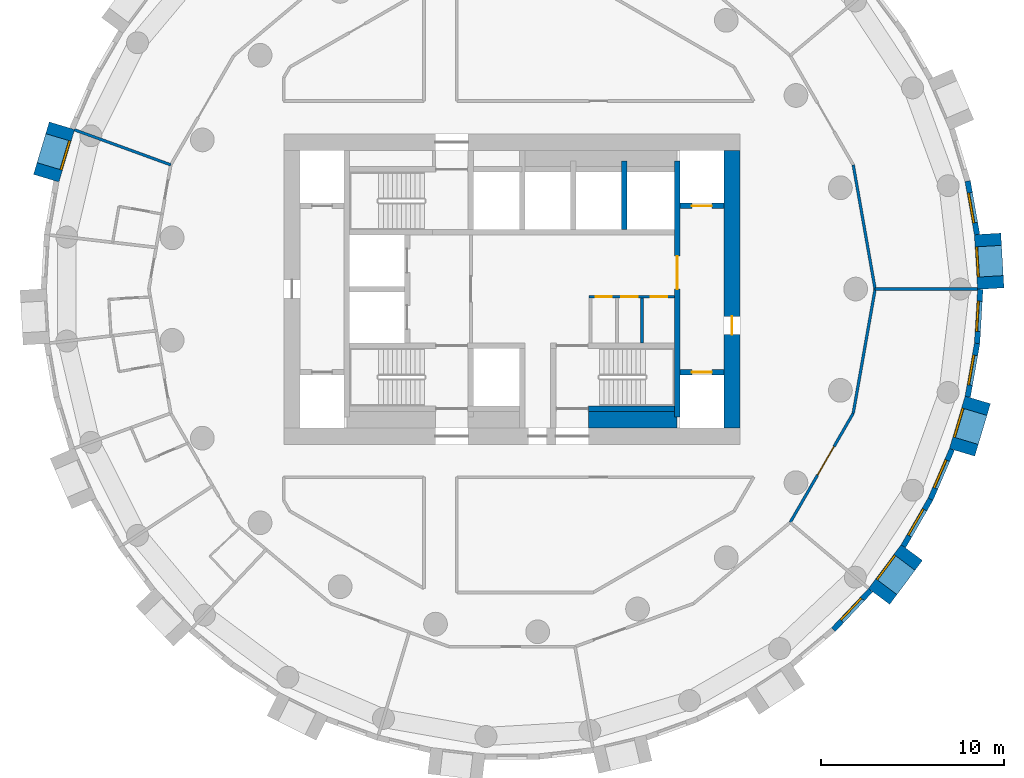
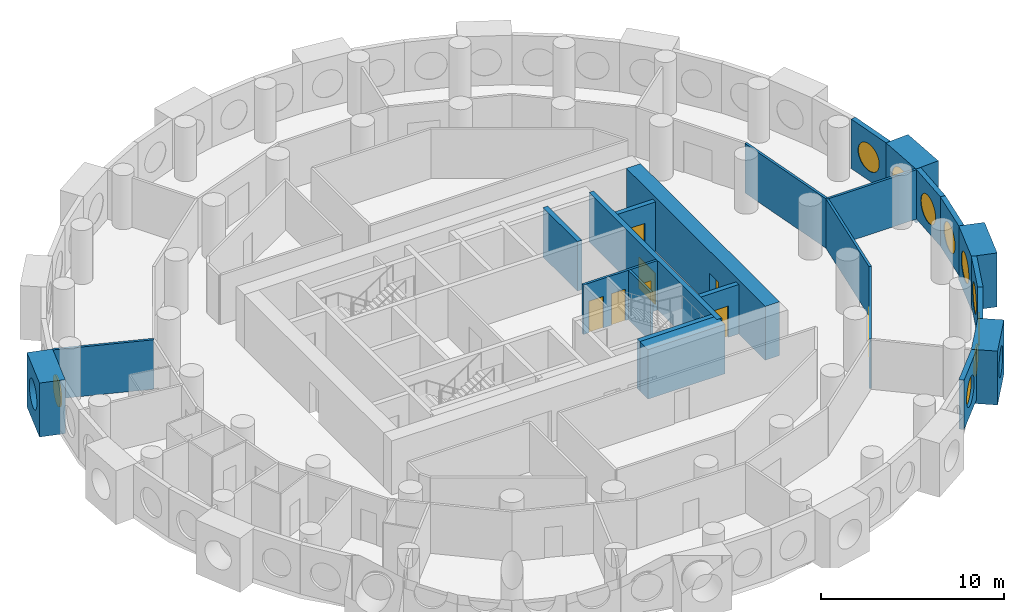
# One storey, part 5 of 9: 24 walls, 10 windows, 8 doors, 18 openings.
"""IFC4 building model written with IfcOpenShell, lengths in metres."""

import ifcopenshell
import ifcopenshell.guid

model = None  # the IFC model being written
_history = None  # IfcOwnerHistory: only IFC2X3 demands one
_inside = {}  # id of a spatial element -> (the spatial element, [elements in it])
_under = {}  # id of a project, library or spatial element -> (it, [spatial elements below it])
_declared = {}  # id of a project -> (the project, [libraries it declares])
_typed = {}  # id of a type object -> (the type object, [elements of that type])
_made_of = {}  # id of a material, layer set ... -> (it, [elements and type objects made of it])


def new_model(schema):
    """Start an empty IFC model of exactly this schema.

    Asked for "IFC4X3", IfcOpenShell would pick the latest addendum, in which some entities
    have other attributes; the version numbers below select the first issue.
    IFC2X3 requires an IfcOwnerHistory on every rooted entity: one is made here for all.
    """
    global model, _history
    if schema == "IFC4X3":
        model = ifcopenshell.file(schema_version=(4, 3, 0, 0))
    else:
        model = ifcopenshell.file(schema=schema)
    _inside.clear()
    _under.clear()
    _declared.clear()
    _typed.clear()
    _made_of.clear()
    _history = None
    if model.schema == "IFC2X3":
        org = make("IfcOrganization", Name="unknown")
        user = make(
            "IfcPersonAndOrganization",
            ThePerson=make("IfcPerson", FamilyName="unknown"),
            TheOrganization=org,
        )
        app = make(
            "IfcApplication",
            ApplicationDeveloper=org,
            Version="unknown",
            ApplicationFullName="unknown",
            ApplicationIdentifier="unknown",
        )
        _history = make(
            "IfcOwnerHistory",
            OwningUser=user,
            OwningApplication=app,
            ChangeAction="ADDED",
            CreationDate=0,
        )
    return model


def make(cls, **values):
    """One entity of the class cls with the attributes given. An attribute that is None is left unset."""
    return model.create_entity(
        cls, **{name: value for name, value in values.items() if value is not None}
    )


def rooted(cls, **values):
    """An entity with a GlobalId (a new one), such as an element, a storey or a relation."""
    return make(cls, GlobalId=ifcopenshell.guid.new(), OwnerHistory=_history, **values)


def si_unit(unit_type, name, prefix=None):
    """IfcSIUnit, for example si_unit("LENGTHUNIT", "METRE", prefix="MILLI")."""
    return make("IfcSIUnit", UnitType=unit_type, Prefix=prefix, Name=name)


def assignment(units):
    """IfcUnitAssignment: the units of a project."""
    return None if units is None else make("IfcUnitAssignment", Units=units)


def point(xyz):
    """IfcCartesianPoint."""
    return None if xyz is None else make("IfcCartesianPoint", Coordinates=xyz)


def direction(xyz):
    """IfcDirection."""
    return None if xyz is None else make("IfcDirection", DirectionRatios=xyz)


def frame(location, z_axis=None, x_axis=None):
    """IfcAxis2Placement3D, a coordinate frame: its origin and axes. An axis left out is left unset."""
    return make(
        "IfcAxis2Placement3D",
        Location=point(location),
        Axis=direction(z_axis),
        RefDirection=direction(x_axis),
    )


def frame_2d(location, x_axis=None):
    """IfcAxis2Placement2D, a coordinate frame in the plane: its origin and x axis."""
    return make(
        "IfcAxis2Placement2D", Location=point(location), RefDirection=direction(x_axis)
    )


def origin():
    """The frame at (0, 0, 0) with its axes left unset."""
    return frame((0.0, 0.0, 0.0))


def origin_2d():
    """The frame at (0, 0) in the plane with its x axis left unset."""
    return frame_2d((0.0, 0.0))


def place(relative_to, where):
    """IfcLocalPlacement: puts the frame where relative to a parent placement (None: the world)."""
    return make(
        "IfcLocalPlacement", PlacementRelTo=relative_to, RelativePlacement=where
    )


def context(
    kind, dimensions, precision=None, world=None, true_north=None, identifier=None
):
    """IfcGeometricRepresentationContext, for example the 3D "Model" context."""
    return make(
        "IfcGeometricRepresentationContext",
        ContextIdentifier=identifier,
        ContextType=kind,
        CoordinateSpaceDimension=dimensions,
        Precision=precision,
        WorldCoordinateSystem=world,
        TrueNorth=true_north,
    )


def subcontext(parent, identifier, kind, view, scale=None):
    """IfcGeometricRepresentationSubContext, for example "Body" below "Model"."""
    return make(
        "IfcGeometricRepresentationSubContext",
        ContextIdentifier=identifier,
        ContextType=kind,
        ParentContext=parent,
        TargetScale=scale,
        TargetView=view,
    )


def project(units=None, contexts=None):
    """IfcProject with its units and contexts."""
    return rooted(
        "IfcProject",
        Name="project",
        RepresentationContexts=contexts,
        UnitsInContext=assignment(units),
    )


def spatial(cls, under=None, at=None, **own):
    """A site, building, storey or space (cls), placed at a placement, below another one or the project."""
    s = rooted(cls, ObjectPlacement=at, **own)
    if under is not None:
        _under.setdefault(under.id(), (under, []))[1].append(s)
    return s


def profile(cls, at=None, kind="AREA", **sizes):
    """A parametric profile (cls). Its sizes go by their IFC names, for example OverallWidth=200.0."""
    return make(cls, ProfileType=kind, Position=at, **sizes)


def rectangle(**sizes):
    """IfcRectangleProfileDef."""
    return profile("IfcRectangleProfileDef", **sizes)


def circle(**sizes):
    """IfcCircleProfileDef."""
    return profile("IfcCircleProfileDef", **sizes)


def extrude(swept, where, along, depth):
    """IfcExtrudedAreaSolid: the profile swept, set in the frame where, extruded along a direction by depth."""
    return make(
        "IfcExtrudedAreaSolid",
        SweptArea=swept,
        Position=where,
        ExtrudedDirection=direction(along),
        Depth=depth,
    )


def shape(context_of_items, identifier, shape_type, items):
    """IfcShapeRepresentation: the items that make up one representation, for example the "Body"."""
    return make(
        "IfcShapeRepresentation",
        ContextOfItems=context_of_items,
        RepresentationIdentifier=identifier,
        RepresentationType=shape_type,
        Items=items,
    )


def material(Name=None, Category=None):
    """IfcMaterial."""
    return make("IfcMaterial", Name=Name, Category=Category)


def layer(
    of_material, thickness, ventilated=None, Name=None, Category=None, Priority=None
):
    """IfcMaterialLayer: one layer of a wall or slab, of a material (None: an air gap)."""
    return make(
        "IfcMaterialLayer",
        Material=of_material,
        LayerThickness=thickness,
        IsVentilated=ventilated,
        Name=Name,
        Category=Category,
        Priority=Priority,
    )


def layer_set(layers, Name=None):
    """IfcMaterialLayerSet."""
    return make("IfcMaterialLayerSet", MaterialLayers=layers, LayerSetName=Name)


def made_of(thing, what):
    """Note that an element or type object is made of a material, layer set ...; save() writes the relation."""
    if what is not None:
        _made_of.setdefault(what.id(), (what, []))[1].append(thing)
    return thing


def type_object(cls, material=None, **own):
    """A type object (cls), such as IfcWallType, which elements share."""
    return made_of(rooted(cls, **own), material)


def element(
    cls,
    number,
    at=None,
    inside=None,
    cuts=None,
    type_object=None,
    material=None,
    context=None,
    identifier="Body",
    shape_type=None,
    held_by="IfcProductDefinitionShape",
    body=None,
    shapes=None,
    **own,
):
    """One element of the class cls, such as IfcWall. Its Tag is "e" and its number.

    at: its placement. inside: the storey or other place that contains it. cuts: it is an
    opening in that element (IfcRelVoidsElement). A single representation is given by context,
    identifier, shape_type and body (its items); several are given by shapes. held_by: the class
    of the entity that holds the representations. save() writes the other relations.
    """
    e = rooted(cls, Tag="e%d" % number, ObjectPlacement=at, **own)
    if body is not None:
        shapes = [shape(context, identifier, shape_type, body)]
    if shapes is not None:
        e.Representation = make(held_by, Representations=shapes)
    if inside is not None:
        _inside.setdefault(inside.id(), (inside, []))[1].append(e)
    if cuts is not None:
        rooted(
            "IfcRelVoidsElement", RelatingBuildingElement=cuts, RelatedOpeningElement=e
        )
    if type_object is not None:
        _typed.setdefault(type_object.id(), (type_object, []))[1].append(e)
    return made_of(e, material)


def fill(opening, filler):
    """IfcRelFillsElement: the door or window that sits in an opening."""
    return rooted(
        "IfcRelFillsElement",
        RelatingOpeningElement=opening,
        RelatedBuildingElement=filler,
    )


def aggregate(whole, parts):
    """IfcRelAggregates: a whole, such as a stair, and the parts it consists of."""
    return rooted("IfcRelAggregates", RelatingObject=whole, RelatedObjects=parts)


def save(model, path):
    """Write the relations noted so far, then the file.

    IfcRelAggregates (storeys below a building ...), IfcRelContainedInSpatialStructure (elements
    in a storey), IfcRelDefinesByType, IfcRelAssociatesMaterial and IfcRelDeclares: one each for
    every whole, place, type object, material and project.
    """
    for whole, parts in _under.values():
        aggregate(whole, parts)
    for where, things in _inside.values():
        rooted(
            "IfcRelContainedInSpatialStructure",
            RelatedElements=things,
            RelatingStructure=where,
        )
    for kind, things in _typed.values():
        rooted("IfcRelDefinesByType", RelatedObjects=things, RelatingType=kind)
    for what, things in _made_of.values():
        rooted("IfcRelAssociatesMaterial", RelatedObjects=things, RelatingMaterial=what)
    for by, libraries in _declared.values():
        rooted("IfcRelDeclares", RelatingContext=by, RelatedDefinitions=libraries)
    model.write(path)


model = new_model("IFC4")

# Units and contexts
model_context = context("Model", 3, precision=1e-05, world=origin(), true_north=direction((0.0, 1.0)))
body_context = subcontext(model_context, "Body", "Model", "MODEL_VIEW")
ifc_project = project(units=[si_unit("LENGTHUNIT", "METRE"), si_unit("AREAUNIT", "SQUARE_METRE"), si_unit("VOLUMEUNIT", "CUBIC_METRE"), si_unit("PLANEANGLEUNIT", "RADIAN"), si_unit("MASSUNIT", "GRAM", prefix="KILO")], contexts=[model_context])

# Site, building, storey
site_placement = place(None, origin())
site = spatial("IfcSite", under=ifc_project, at=site_placement, CompositionType="ELEMENT")
building_placement = place(site_placement, origin())
building = spatial("IfcBuilding", under=site, at=building_placement, Name="Tracery Tower", CompositionType="ELEMENT")
storey_placement = place(building_placement, frame((0.0, 0.0, 205.199951171875)))
storey = spatial("IfcBuildingStorey", under=building, at=storey_placement, Name="L53", CompositionType="ELEMENT", Elevation=205.199951171875)

# Wall, openings, doors
ifc_material_1 = material(Name="Plasterboard on steel studs", Category="steel")
ifc_layer_1 = layer(ifc_material_1, 0.14990234375)
ifc_layer_set_1 = layer_set([ifc_layer_1], Name="Core room partition 150")
wall_type_1 = type_object("IfcWallType", Name="Core room partition 150", PredefinedType="SOLIDWALL", material=ifc_layer_set_1)
wall_1_placement = place(storey_placement, frame((4.22509765625, -0.425048828125, 0.0), z_axis=(0.0, 0.0, 1.0), x_axis=(1.0, 0.0, 0.0)))
wall_1 = element("IfcWall", 1, at=wall_1_placement, inside=storey, type_object=wall_type_1, Name="L53 slot N", PredefinedType="SOLIDWALL", context=body_context, shape_type="SweptSolid", body=[
    extrude(rectangle(XDim=4.6748046875, YDim=0.14990234375, at=frame_2d((2.33740234375, 0.0))), origin(), (0.0, 0.0, 1.0), 3.300048828125),
])
opening_1_placement = place(wall_1_placement, frame((0.35009765625, 0.0, 0.0)))
opening_1 = element("IfcOpeningElement", 2, at=opening_1_placement, cuts=wall_1, Name="Opening KD27", PredefinedType="OPENING", context=body_context, shape_type="SweptSolid", body=[
    extrude(rectangle(XDim=0.89990234375, YDim=2.10009765625, at=frame_2d((0.449951171875, 1.050048828125))), frame((0.0, 0.074951171875, 0.0), z_axis=(0.0, -1.0, 0.0), x_axis=(1.0, 0.0, 0.0)), (0.0, 0.0, 1.0), 0.14990234375),
])
opening_2_placement = place(wall_1_placement, frame((1.762451171875, 0.0, 0.0)))
opening_2 = element("IfcOpeningElement", 3, at=opening_2_placement, cuts=wall_1, Name="Opening KD26", PredefinedType="OPENING", context=body_context, shape_type="SweptSolid", body=[
    extrude(rectangle(XDim=0.89990234375, YDim=2.10009765625, at=frame_2d((0.449951171875, 1.050048828125))), frame((0.0, 0.074951171875, 0.0), z_axis=(0.0, -1.0, 0.0), x_axis=(1.0, 0.0, 0.0)), (0.0, 0.0, 1.0), 0.14990234375),
])
opening_3_placement = place(wall_1_placement, frame((3.375, 0.0, 0.0)))
opening_3 = element("IfcOpeningElement", 4, at=opening_3_placement, cuts=wall_1, Name="Opening KD22", PredefinedType="OPENING", context=body_context, shape_type="SweptSolid", body=[
    extrude(rectangle(XDim=0.89990234375, YDim=2.10009765625, at=frame_2d((0.449951171875, 1.050048828125))), frame((0.0, 0.074951171875, 0.0), z_axis=(0.0, -1.0, 0.0), x_axis=(1.0, 0.0, 0.0)), (0.0, 0.0, 1.0), 0.14990234375),
])
ifc_material_2 = material(Name="Timber door leaf", Category="wood")
door_type_1 = type_object("IfcDoorType", Name="Core WC door 900", OperationType="NOTDEFINED", PredefinedType="DOOR", material=ifc_material_2)
door_1_placement = place(opening_3_placement, origin())
door_1 = element("IfcDoor", 5, at=door_1_placement, inside=storey, type_object=door_type_1, Name="Core door", OperationType="SINGLE_SWING_RIGHT", OverallHeight=2.10009765625, OverallWidth=0.89990234375, PredefinedType="DOOR", context=body_context, shape_type="SweptSolid", body=[
    extrude(rectangle(XDim=0.89990234375, YDim=2.10009765625, at=frame_2d((0.449951171875, 1.050048828125))), frame((0.0, 0.02490234375, 0.0), z_axis=(0.0, -1.0, 0.0), x_axis=(1.0, 0.0, 0.0)), (0.0, 0.0, 1.0), 0.050048828125),
])
fill(opening_3, door_1)
ifc_material_3 = material(Name="Timber door leaf", Category="wood")
door_type_2 = type_object("IfcDoorType", Name="Core store door 900", OperationType="NOTDEFINED", PredefinedType="DOOR", material=ifc_material_3)
door_2_placement = place(opening_1_placement, origin())
door_2 = element("IfcDoor", 6, at=door_2_placement, inside=storey, type_object=door_type_2, Name="Core door", OperationType="SINGLE_SWING_RIGHT", OverallHeight=2.10009765625, OverallWidth=0.89990234375, PredefinedType="DOOR", context=body_context, shape_type="SweptSolid", body=[
    extrude(rectangle(XDim=0.89990234375, YDim=2.10009765625, at=frame_2d((0.449951171875, 1.050048828125))), frame((0.0, 0.02490234375, 0.0), z_axis=(0.0, -1.0, 0.0), x_axis=(1.0, 0.0, 0.0)), (0.0, 0.0, 1.0), 0.050048828125),
])
fill(opening_1, door_2)
door_3_placement = place(opening_2_placement, origin())
door_3 = element("IfcDoor", 7, at=door_3_placement, inside=storey, type_object=door_type_2, Name="Core door", OperationType="SINGLE_SWING_LEFT", OverallHeight=2.10009765625, OverallWidth=0.89990234375, PredefinedType="DOOR", context=body_context, shape_type="SweptSolid", body=[
    extrude(rectangle(XDim=0.89990234375, YDim=2.10009765625, at=frame_2d((0.449951171875, 1.050048828125))), frame((0.0, 0.02490234375, 0.0), z_axis=(0.0, -1.0, 0.0), x_axis=(1.0, 0.0, 0.0)), (0.0, 0.0, 1.0), 0.050048828125),
])
fill(opening_2, door_3)

# Walls
wall_2_placement = place(storey_placement, frame((7.125, -2.949951171875, 0.0), z_axis=(0.0, 0.0, 1.0), x_axis=(0.0, 1.0, 0.0)))
element("IfcWall", 8, at=wall_2_placement, inside=storey, type_object=wall_type_1, Name="L53 slot sep 2", PredefinedType="SOLIDWALL", context=body_context, shape_type="SweptSolid", body=[
    extrude(rectangle(XDim=2.449951171875, YDim=0.14990234375, at=frame_2d((1.22509765625, 0.0))), origin(), (0.0, 0.0, 1.0), 3.300048828125),
])
ifc_material_4 = material(Name="Concrete C50/60", Category="concrete")
ifc_layer_2 = layer(ifc_material_4, 0.89990234375)
ifc_layer_set_2 = layer_set([ifc_layer_2], Name="Core strip wall 900 C50")
wall_type_2 = type_object("IfcWallType", Name="Core strip wall 900 C50", PredefinedType="SOLIDWALL", material=ifc_layer_set_2)
wall_3_placement = place(storey_placement, frame((4.199951171875, -7.14990234375, 0.0), z_axis=(0.0, 0.0, 1.0), x_axis=(1.0, 0.0, 0.0)))
element("IfcWall", 9, at=wall_3_placement, inside=storey, type_object=wall_type_2, Name="L53 F thick S E", PredefinedType="SOLIDWALL", context=body_context, shape_type="SweptSolid", body=[
    extrude(rectangle(XDim=4.85009765625, YDim=0.89990234375, at=frame_2d((2.425048828125, 0.0))), origin(), (0.0, 0.0, 1.0), 3.300048828125),
])

# Wall, opening, door
ifc_material_5 = material(Name="Concrete C50/60", Category="concrete")
ifc_layer_3 = layer(ifc_material_5, 0.89990234375)
ifc_layer_set_3 = layer_set([ifc_layer_3], Name="Core wall 900 C50")
wall_type_3 = type_object("IfcWallType", Name="Core wall 900 C50", PredefinedType="SOLIDWALL", material=ifc_layer_set_3)
wall_4_placement = place(storey_placement, frame((12.050048828125, -7.60009765625, 0.0), z_axis=(0.0, 0.0, 1.0), x_axis=(0.0, 1.0, 0.0)))
wall_4 = element("IfcWall", 10, at=wall_4_placement, inside=storey, type_object=wall_type_3, Name="L53 outer E", PredefinedType="SOLIDWALL", context=body_context, shape_type="SweptSolid", body=[
    extrude(rectangle(XDim=15.2001953125, YDim=0.89990234375, at=frame_2d((7.60009765625, 0.0))), origin(), (0.0, 0.0, 1.0), 3.60009765625),
])
opening_4_placement = place(wall_4_placement, frame((5.10009765625, 0.0, 0.0)))
opening_4 = element("IfcOpeningElement", 11, at=opening_4_placement, cuts=wall_4, Name="Opening KD18", PredefinedType="OPENING", context=body_context, shape_type="SweptSolid", body=[
    extrude(rectangle(XDim=1.0, YDim=2.10009765625, at=frame_2d((0.5, 1.050048828125))), frame((0.0, 0.449951171875, 0.0), z_axis=(0.0, -1.0, 0.0), x_axis=(1.0, 0.0, 0.0)), (0.0, 0.0, 1.0), 0.89990234375),
])
ifc_material_6 = material(Name="Steel fire door", Category="steel")
door_type_3 = type_object("IfcDoorType", Name="Core exit door 1000", OperationType="NOTDEFINED", PredefinedType="DOOR", material=ifc_material_6)
door_4_placement = place(opening_4_placement, origin())
door_4 = element("IfcDoor", 12, at=door_4_placement, inside=storey, type_object=door_type_3, Name="Core exit door", OperationType="DOUBLE_DOOR_SINGLE_SWING", OverallHeight=2.10009765625, OverallWidth=1.0, PredefinedType="DOOR", context=body_context, shape_type="SweptSolid", body=[
    extrude(rectangle(XDim=1.0, YDim=2.10009765625, at=frame_2d((0.5, 1.050048828125))), frame((0.0, 0.02490234375, 0.0), z_axis=(0.0, -1.0, 0.0), x_axis=(1.0, 0.0, 0.0)), (0.0, 0.0, 1.0), 0.050048828125),
])
fill(opening_4, door_4)

# Wall, opening, window
ifc_material_7 = material(Name="Precast concrete C50/60", Category="concrete")
ifc_layer_4 = layer(ifc_material_7, 1.449951171875)
ifc_layer_set_4 = layer_set([ifc_layer_4], Name="Deep-set bay unit 3000 x 3600, slab edge 300")
wall_type_4 = type_object("IfcWallType", Name="Deep-set bay unit 3000 x 3600, slab edge 300", PredefinedType="ELEMENTEDWALL", material=ifc_layer_set_4)
wall_5_placement = place(storey_placement, frame((26.221923828125, 0.024658203125, -0.300048828125), z_axis=(0.0, 0.0, 1.0), x_axis=(-0.058106596105, 0.998310384344, 0.0)))
wall_5 = element("IfcWall", 13, at=wall_5_placement, inside=storey, type_object=wall_type_4, Name="Deep-set bay unit 1 at L53", PredefinedType="ELEMENTEDWALL", context=body_context, shape_type="SweptSolid", body=[
    extrude(rectangle(XDim=3.0, YDim=1.449951171875, at=frame_2d((1.5, 0.0))), origin(), (0.0, 0.0, 1.0), 3.60009765625),
])
opening_5_placement = place(wall_5_placement, frame((1.5, 0.0, 1.85009765625)))
opening_5 = element("IfcOpeningElement", 14, at=opening_5_placement, cuts=wall_5, Name="Opening WN1", PredefinedType="OPENING", context=body_context, shape_type="SweptSolid", body=[
    extrude(circle(Radius=0.9000244140625, at=origin_2d()), frame((0.0, 0.73486328125, 0.0), z_axis=(0.0, -1.0, 0.0), x_axis=(1.0, 0.0, 0.0)), (0.0, 0.0, 1.0), 1.469970703125),
])
ifc_material_8 = material(Name="Aluminium frame with tinted double glazing", Category="aluminium")
window_type = type_object("IfcWindowType", Name="Round window 1800", PartitioningType="SINGLE_PANEL", PredefinedType="WINDOW", material=ifc_material_8)
window_1_placement = place(opening_5_placement, origin())
window_1 = element("IfcWindow", 15, at=window_1_placement, inside=storey, type_object=window_type, Name="Round window 1 at L53", OverallHeight=1.800048828125, OverallWidth=1.800048828125, PartitioningType="SINGLE_PANEL", PredefinedType="WINDOW", context=body_context, shape_type="SweptSolid", body=[
    extrude(circle(Radius=0.9000244140625, at=origin_2d()), frame((0.0, 0.69482421875, 0.0), z_axis=(0.0, -1.0, 0.0), x_axis=(1.0, 0.0, 0.0)), (0.0, 0.0, 1.0), 0.10009765625),
])
fill(opening_5, window_1)

wall_6_placement = place(storey_placement, frame((-24.649169921875, 8.9453125, -0.300048828125), z_axis=(0.0, 0.0, 1.0), x_axis=(-0.286780420304, -0.957996341606, 0.0)))
wall_6 = element("IfcWall", 16, at=wall_6_placement, inside=storey, type_object=wall_type_4, Name="Deep-set bay unit 25 at L53", PredefinedType="ELEMENTEDWALL", context=body_context, shape_type="SweptSolid", body=[
    extrude(rectangle(XDim=3.0, YDim=1.449951171875, at=frame_2d((1.5, 0.0))), origin(), (0.0, 0.0, 1.0), 3.60009765625),
])
opening_6_placement = place(wall_6_placement, frame((1.5, 0.0, 1.85009765625)))
opening_6 = element("IfcOpeningElement", 17, at=opening_6_placement, cuts=wall_6, Name="Opening WN1", PredefinedType="OPENING", context=body_context, shape_type="SweptSolid", body=[
    extrude(circle(Radius=0.9000244140625, at=origin_2d()), frame((0.0, 0.73486328125, 0.0), z_axis=(0.0, -1.0, 0.0), x_axis=(1.0, 0.0, 0.0)), (0.0, 0.0, 1.0), 1.469970703125),
])
window_2_placement = place(opening_6_placement, origin())
window_2 = element("IfcWindow", 18, at=window_2_placement, inside=storey, type_object=window_type, Name="Round window 25 at L53", OverallHeight=1.800048828125, OverallWidth=1.800048828125, PartitioningType="SINGLE_PANEL", PredefinedType="WINDOW", context=body_context, shape_type="SweptSolid", body=[
    extrude(circle(Radius=0.9000244140625, at=origin_2d()), frame((0.0, 0.69482421875, 0.0), z_axis=(0.0, -1.0, 0.0), x_axis=(1.0, 0.0, 0.0)), (0.0, 0.0, 1.0), 0.10009765625),
])
fill(opening_6, window_2)

wall_7_placement = place(storey_placement, frame((20.10302734375, -16.836181640625, -0.300048828125), z_axis=(0.0, 0.0, 1.0), x_axis=(0.597183717734, 0.802104486506, 0.0)))
wall_7 = element("IfcWall", 19, at=wall_7_placement, inside=storey, type_object=wall_type_4, Name="Deep-set bay unit 49 at L53", PredefinedType="ELEMENTEDWALL", context=body_context, shape_type="SweptSolid", body=[
    extrude(rectangle(XDim=3.0, YDim=1.449951171875, at=frame_2d((1.5, 0.0))), origin(), (0.0, 0.0, 1.0), 3.60009765625),
])
opening_7_placement = place(wall_7_placement, frame((1.5, 0.0, 1.85009765625)))
opening_7 = element("IfcOpeningElement", 20, at=opening_7_placement, cuts=wall_7, Name="Opening WN1", PredefinedType="OPENING", context=body_context, shape_type="SweptSolid", body=[
    extrude(circle(Radius=0.9000244140625, at=origin_2d()), frame((0.0, 0.73486328125, 0.0), z_axis=(0.0, -1.0, 0.0), x_axis=(1.0, 0.0, 0.0)), (0.0, 0.0, 1.0), 1.469970703125),
])
window_3_placement = place(opening_7_placement, origin())
window_3 = element("IfcWindow", 21, at=window_3_placement, inside=storey, type_object=window_type, Name="Round window 49 at L53", OverallHeight=1.800048828125, OverallWidth=1.800048828125, PartitioningType="SINGLE_PANEL", PredefinedType="WINDOW", context=body_context, shape_type="SweptSolid", body=[
    extrude(circle(Radius=0.9000244140625, at=origin_2d()), frame((0.0, 0.69482421875, 0.0), z_axis=(0.0, -1.0, 0.0), x_axis=(1.0, 0.0, 0.0)), (0.0, 0.0, 1.0), 0.10009765625),
])
fill(opening_7, window_3)

wall_8_placement = place(storey_placement, frame((24.649169921875, -8.9453125, -0.300048828125), z_axis=(0.0, 0.0, 1.0), x_axis=(0.286780420304, 0.957996341606, 0.0)))
wall_8 = element("IfcWall", 22, at=wall_8_placement, inside=storey, type_object=wall_type_4, Name="Deep-set bay unit 52 at L53", PredefinedType="ELEMENTEDWALL", context=body_context, shape_type="SweptSolid", body=[
    extrude(rectangle(XDim=3.0, YDim=1.449951171875, at=frame_2d((1.5, 0.0))), origin(), (0.0, 0.0, 1.0), 3.60009765625),
])
opening_8_placement = place(wall_8_placement, frame((1.5, 0.0, 1.85009765625)))
opening_8 = element("IfcOpeningElement", 23, at=opening_8_placement, cuts=wall_8, Name="Opening WN1", PredefinedType="OPENING", context=body_context, shape_type="SweptSolid", body=[
    extrude(circle(Radius=0.9000244140625, at=origin_2d()), frame((0.0, 0.73486328125, 0.0), z_axis=(0.0, -1.0, 0.0), x_axis=(1.0, 0.0, 0.0)), (0.0, 0.0, 1.0), 1.469970703125),
])
window_4_placement = place(opening_8_placement, origin())
window_4 = element("IfcWindow", 24, at=window_4_placement, inside=storey, type_object=window_type, Name="Round window 52 at L53", OverallHeight=1.800048828125, OverallWidth=1.800048828125, PartitioningType="SINGLE_PANEL", PredefinedType="WINDOW", context=body_context, shape_type="SweptSolid", body=[
    extrude(circle(Radius=0.9000244140625, at=origin_2d()), frame((0.0, 0.69482421875, 0.0), z_axis=(0.0, -1.0, 0.0), x_axis=(1.0, 0.0, 0.0)), (0.0, 0.0, 1.0), 0.10009765625),
])
fill(opening_8, window_4)

ifc_material_9 = material(Name="Precast concrete C50/60", Category="concrete")
ifc_layer_5 = layer(ifc_material_9, 0.300048828125)
ifc_layer_set_5 = layer_set([ifc_layer_5], Name="Facade panel 3000 x 3300")
wall_type_5 = type_object("IfcWallType", Name="Facade panel 3000 x 3300", PredefinedType="SOLIDWALL", material=ifc_layer_set_5)
wall_9_placement = place(storey_placement, frame((25.472412109375, 2.987060546875, 0.0), z_axis=(0.0, 0.0, 1.0), x_axis=(-0.173686952598, 0.984800915159, 0.0)))
wall_9 = element("IfcWall", 25, at=wall_9_placement, inside=storey, type_object=wall_type_5, Name="Facade panel 2 at L53", PredefinedType="SOLIDWALL", context=body_context, shape_type="SweptSolid", body=[
    extrude(rectangle(XDim=2.972900390625, YDim=0.300048828125, at=frame_2d((1.486328125, 0.0))), origin(), (0.0, 0.0, 1.0), 3.300048828125),
])
opening_9_placement = place(wall_9_placement, frame((1.486328125, 0.0, 1.5498046875)))
opening_9 = element("IfcOpeningElement", 26, at=opening_9_placement, cuts=wall_9, Name="Opening WN1", PredefinedType="OPENING", context=body_context, shape_type="SweptSolid", body=[
    extrude(circle(Radius=0.9000244140625, at=origin_2d()), frame((0.0, 0.159912109375, 0.0), z_axis=(0.0, -1.0, 0.0), x_axis=(1.0, 0.0, 0.0)), (0.0, 0.0, 1.0), 0.320068359375),
])
window_5_placement = place(opening_9_placement, origin())
window_5 = element("IfcWindow", 27, at=window_5_placement, inside=storey, type_object=window_type, Name="Round window 2 at L53", OverallHeight=1.800048828125, OverallWidth=1.800048828125, PartitioningType="SINGLE_PANEL", PredefinedType="WINDOW", context=body_context, shape_type="SweptSolid", body=[
    extrude(circle(Radius=0.9000244140625, at=origin_2d()), frame((0.0, 0.1201171875, 0.0), z_axis=(0.0, -1.0, 0.0), x_axis=(1.0, 0.0, 0.0)), (0.0, 0.0, 1.0), 0.10009765625),
])
fill(opening_9, window_5)

wall_10_placement = place(storey_placement, frame((17.600341796875, -18.6552734375, 0.0), z_axis=(0.0, 0.0, 1.0), x_axis=(0.686235184166, 0.727379730273, 0.0)))
wall_10 = element("IfcWall", 28, at=wall_10_placement, inside=storey, type_object=wall_type_5, Name="Facade panel 48 at L53", PredefinedType="SOLIDWALL", context=body_context, shape_type="SweptSolid", body=[
    extrude(rectangle(XDim=2.972900390625, YDim=0.300048828125, at=frame_2d((1.486328125, 0.0))), origin(), (0.0, 0.0, 1.0), 3.300048828125),
])
opening_10_placement = place(wall_10_placement, frame((1.486328125, 0.0, 1.5498046875)))
opening_10 = element("IfcOpeningElement", 29, at=opening_10_placement, cuts=wall_10, Name="Opening WN1", PredefinedType="OPENING", context=body_context, shape_type="SweptSolid", body=[
    extrude(circle(Radius=0.9000244140625, at=origin_2d()), frame((0.0, 0.159912109375, 0.0), z_axis=(0.0, -1.0, 0.0), x_axis=(1.0, 0.0, 0.0)), (0.0, 0.0, 1.0), 0.320068359375),
])
window_6_placement = place(opening_10_placement, origin())
window_6 = element("IfcWindow", 30, at=window_6_placement, inside=storey, type_object=window_type, Name="Round window 48 at L53", OverallHeight=1.800048828125, OverallWidth=1.800048828125, PartitioningType="SINGLE_PANEL", PredefinedType="WINDOW", context=body_context, shape_type="SweptSolid", body=[
    extrude(circle(Radius=0.9000244140625, at=origin_2d()), frame((0.0, 0.1201171875, 0.0), z_axis=(0.0, -1.0, 0.0), x_axis=(1.0, 0.0, 0.0)), (0.0, 0.0, 1.0), 0.10009765625),
])
fill(opening_10, window_6)

wall_11_placement = place(storey_placement, frame((21.432861328125, -14.085205078125, 0.0), z_axis=(0.0, 0.0, 1.0), x_axis=(0.500016263033, 0.866016014115, 0.0)))
wall_11 = element("IfcWall", 31, at=wall_11_placement, inside=storey, type_object=wall_type_5, Name="Facade panel 50 at L53", PredefinedType="SOLIDWALL", context=body_context, shape_type="SweptSolid", body=[
    extrude(rectangle(XDim=2.97314453125, YDim=0.300048828125, at=frame_2d((1.486572265625, 0.0))), origin(), (0.0, 0.0, 1.0), 3.300048828125),
])
opening_11_placement = place(wall_11_placement, frame((1.486328125, 0.0, 1.5498046875)))
opening_11 = element("IfcOpeningElement", 32, at=opening_11_placement, cuts=wall_11, Name="Opening WN1", PredefinedType="OPENING", context=body_context, shape_type="SweptSolid", body=[
    extrude(circle(Radius=0.9000244140625, at=origin_2d()), frame((0.0, 0.159912109375, 0.0), z_axis=(0.0, -1.0, 0.0), x_axis=(1.0, 0.0, 0.0)), (0.0, 0.0, 1.0), 0.320068359375),
])
window_7_placement = place(opening_11_placement, origin())
window_7 = element("IfcWindow", 33, at=window_7_placement, inside=storey, type_object=window_type, Name="Round window 50 at L53", OverallHeight=1.800048828125, OverallWidth=1.800048828125, PartitioningType="SINGLE_PANEL", PredefinedType="WINDOW", context=body_context, shape_type="SweptSolid", body=[
    extrude(circle(Radius=0.9000244140625, at=origin_2d()), frame((0.0, 0.1201171875, 0.0), z_axis=(0.0, -1.0, 0.0), x_axis=(1.0, 0.0, 0.0)), (0.0, 0.0, 1.0), 0.10009765625),
])
fill(opening_11, window_7)

wall_12_placement = place(storey_placement, frame((22.91943359375, -11.510498046875, 0.0), z_axis=(0.0, 0.0, 1.0), x_axis=(0.396078892785, 0.918216483565, 0.0)))
wall_12 = element("IfcWall", 34, at=wall_12_placement, inside=storey, type_object=wall_type_5, Name="Facade panel 51 at L53", PredefinedType="SOLIDWALL", context=body_context, shape_type="SweptSolid", body=[
    extrude(rectangle(XDim=2.972900390625, YDim=0.300048828125, at=frame_2d((1.486328125, 0.0))), origin(), (0.0, 0.0, 1.0), 3.300048828125),
])
opening_12_placement = place(wall_12_placement, frame((1.486328125, 0.0, 1.5498046875)))
opening_12 = element("IfcOpeningElement", 35, at=opening_12_placement, cuts=wall_12, Name="Opening WN1", PredefinedType="OPENING", context=body_context, shape_type="SweptSolid", body=[
    extrude(circle(Radius=0.9000244140625, at=origin_2d()), frame((0.0, 0.159912109375, 0.0), z_axis=(0.0, -1.0, 0.0), x_axis=(1.0, 0.0, 0.0)), (0.0, 0.0, 1.0), 0.320068359375),
])
window_8_placement = place(opening_12_placement, origin())
window_8 = element("IfcWindow", 36, at=window_8_placement, inside=storey, type_object=window_type, Name="Round window 51 at L53", OverallHeight=1.800048828125, OverallWidth=1.800048828125, PartitioningType="SINGLE_PANEL", PredefinedType="WINDOW", context=body_context, shape_type="SweptSolid", body=[
    extrude(circle(Radius=0.9000244140625, at=origin_2d()), frame((0.0, 0.1201171875, 0.0), z_axis=(0.0, -1.0, 0.0), x_axis=(1.0, 0.0, 0.0)), (0.0, 0.0, 1.0), 0.10009765625),
])
fill(opening_12, window_8)

wall_13_placement = place(storey_placement, frame((24.957763671875, -5.9052734375, 0.0), z_axis=(0.0, 0.0, 1.0), x_axis=(0.173686952598, 0.984800915159, 0.0)))
wall_13 = element("IfcWall", 37, at=wall_13_placement, inside=storey, type_object=wall_type_5, Name="Facade panel 53 at L53", PredefinedType="SOLIDWALL", context=body_context, shape_type="SweptSolid", body=[
    extrude(rectangle(XDim=2.972900390625, YDim=0.300048828125, at=frame_2d((1.486328125, 0.0))), origin(), (0.0, 0.0, 1.0), 3.300048828125),
])
opening_13_placement = place(wall_13_placement, frame((1.486328125, 0.0, 1.5498046875)))
opening_13 = element("IfcOpeningElement", 38, at=opening_13_placement, cuts=wall_13, Name="Opening WN1", PredefinedType="OPENING", context=body_context, shape_type="SweptSolid", body=[
    extrude(circle(Radius=0.9000244140625, at=origin_2d()), frame((0.0, 0.159912109375, 0.0), z_axis=(0.0, -1.0, 0.0), x_axis=(1.0, 0.0, 0.0)), (0.0, 0.0, 1.0), 0.320068359375),
])
window_9_placement = place(opening_13_placement, origin())
window_9 = element("IfcWindow", 39, at=window_9_placement, inside=storey, type_object=window_type, Name="Round window 53 at L53", OverallHeight=1.800048828125, OverallWidth=1.800048828125, PartitioningType="SINGLE_PANEL", PredefinedType="WINDOW", context=body_context, shape_type="SweptSolid", body=[
    extrude(circle(Radius=0.9000244140625, at=origin_2d()), frame((0.0, 0.1201171875, 0.0), z_axis=(0.0, -1.0, 0.0), x_axis=(1.0, 0.0, 0.0)), (0.0, 0.0, 1.0), 0.10009765625),
])
fill(opening_13, window_9)

wall_14_placement = place(storey_placement, frame((25.47412109375, -2.9775390625, 0.0), z_axis=(0.0, 0.0, 1.0), x_axis=(0.058139540521, 0.998308466271, 0.0)))
wall_14 = element("IfcWall", 40, at=wall_14_placement, inside=storey, type_object=wall_type_5, Name="Facade panel 54 at L53", PredefinedType="SOLIDWALL", context=body_context, shape_type="SweptSolid", body=[
    extrude(rectangle(XDim=2.97314453125, YDim=0.300048828125, at=frame_2d((1.486572265625, 0.0))), origin(), (0.0, 0.0, 1.0), 3.300048828125),
])
opening_14_placement = place(wall_14_placement, frame((1.486328125, 0.0, 1.5498046875)))
opening_14 = element("IfcOpeningElement", 41, at=opening_14_placement, cuts=wall_14, Name="Opening WN1", PredefinedType="OPENING", context=body_context, shape_type="SweptSolid", body=[
    extrude(circle(Radius=0.9000244140625, at=origin_2d()), frame((0.0, 0.159912109375, 0.0), z_axis=(0.0, -1.0, 0.0), x_axis=(1.0, 0.0, 0.0)), (0.0, 0.0, 1.0), 0.320068359375),
])
window_10_placement = place(opening_14_placement, origin())
window_10 = element("IfcWindow", 42, at=window_10_placement, inside=storey, type_object=window_type, Name="Round window 54 at L53", OverallHeight=1.800048828125, OverallWidth=1.800048828125, PartitioningType="SINGLE_PANEL", PredefinedType="WINDOW", context=body_context, shape_type="SweptSolid", body=[
    extrude(circle(Radius=0.9000244140625, at=origin_2d()), frame((0.0, 0.1201171875, 0.0), z_axis=(0.0, -1.0, 0.0), x_axis=(1.0, 0.0, 0.0)), (0.0, 0.0, 1.0), 0.10009765625),
])
fill(opening_14, window_10)

# Walls
ifc_material_10 = material(Name="Plasterboard on steel studs", Category="steel")
ifc_layer_6 = layer(ifc_material_10, 0.14990234375)
ifc_layer_set_6 = layer_set([ifc_layer_6], Name="Partition 150 acoustic unit wall")
wall_type_6 = type_object("IfcWallType", Name="Partition 150 acoustic unit wall", PredefinedType="PARTITIONING", material=ifc_layer_set_6)
wall_15_placement = place(storey_placement, frame((19.887939453125, 0.0, 0.0), z_axis=(0.0, 0.0, 1.0), x_axis=(1.0, 0.0, 0.0)))
element("IfcWall", 43, at=wall_15_placement, inside=storey, type_object=wall_type_6, Name="Unit wall RB8-041", PredefinedType="PARTITIONING", context=body_context, shape_type="SweptSolid", body=[
    extrude(rectangle(XDim=5.609130859375, YDim=0.14990234375, at=frame_2d((2.8046875, 0.0))), origin(), (0.0, 0.0, 1.0), 3.300048828125),
])
wall_16_placement = place(storey_placement, frame((-23.9599609375, 8.720947265625, 0.0), z_axis=(0.0, 0.0, 1.0), x_axis=(0.939686652043, -0.342036541866, 0.0)))
element("IfcWall", 44, at=wall_16_placement, inside=storey, type_object=wall_type_6, Name="Unit wall RB8-044", PredefinedType="PARTITIONING", context=body_context, shape_type="SweptSolid", body=[
    extrude(rectangle(XDim=5.6103515625, YDim=0.14990234375, at=frame_2d((2.80517578125, 0.0))), origin(), (0.0, 0.0, 1.0), 3.300048828125),
])
ifc_material_11 = material(Name="Plasterboard on steel studs", Category="steel")
ifc_layer_7 = layer(ifc_material_11, 0.14990234375)
ifc_layer_set_7 = layer_set([ifc_layer_7], Name="Partition 150 corridor wall")
wall_type_7 = type_object("IfcWallType", Name="Partition 150 corridor wall", PredefinedType="PARTITIONING", material=ifc_layer_set_7)
for number, where, z_axis, x_axis, name in (
    (45, (18.68798828125, 6.802001953125, 0.0), (0.0, 0.0, 1.0), (0.173728873845, -0.98479352069, 0.0), "Corridor wall RB8-008"),
    (46, (18.68798828125, -6.802001953125, 0.0), (0.0, 0.0, 1.0), (0.173728873845, 0.98479352069, 0.0), "Corridor wall RB8-011"),
):
    element("IfcWall", number, at=place(storey_placement, frame(where, z_axis=z_axis, x_axis=x_axis)), inside=storey, type_object=wall_type_7, Name=name, PredefinedType="PARTITIONING", context=body_context, shape_type="SweptSolid", body=[
        extrude(rectangle(XDim=6.906982421875, YDim=0.14990234375, at=frame_2d((3.45361328125, 0.0))), origin(), (0.0, 0.0, 1.0), 3.300048828125),
    ])

# Wall, opening, door
wall_17_placement = place(storey_placement, frame((15.235107421875, -12.783935546875, 0.0), z_axis=(0.0, 0.0, 1.0), x_axis=(0.499914202267, 0.866074933462, 0.0)))
wall_17 = element("IfcWall", 47, at=wall_17_placement, inside=storey, type_object=wall_type_7, Name="Corridor wall RB8-012", PredefinedType="PARTITIONING", context=body_context, shape_type="SweptSolid", body=[
    extrude(rectangle(XDim=6.906982421875, YDim=0.14990234375, at=frame_2d((3.45361328125, 0.0))), origin(), (0.0, 0.0, 1.0), 3.300048828125),
])
opening_15_placement = place(wall_17_placement, frame((3.003173828125, 0.0, 0.0)))
opening_15 = element("IfcOpeningElement", 48, at=opening_15_placement, cuts=wall_17, Name="Opening RB8-22", PredefinedType="OPENING", context=body_context, shape_type="SweptSolid", body=[
    extrude(rectangle(XDim=1.800048828125, YDim=2.10009765625, at=frame_2d((0.89990234375, 1.050048828125))), frame((0.0, 0.074951171875, 0.0), z_axis=(0.0, -1.0, 0.0), x_axis=(1.0, 0.0, 0.0)), (0.0, 0.0, 1.0), 0.14990234375),
])
ifc_material_12 = material(Name="Timber door leaf", Category="wood")
door_type_4 = type_object("IfcDoorType", Name="Door double lounge 1800", OperationType="NOTDEFINED", PredefinedType="DOOR", material=ifc_material_12)
door_5_placement = place(opening_15_placement, origin())
door_5 = element("IfcDoor", 49, at=door_5_placement, inside=storey, type_object=door_type_4, Name="Double lounge door RB8-22", OperationType="DOUBLE_DOOR_SINGLE_SWING", OverallHeight=2.10009765625, OverallWidth=1.800048828125, PredefinedType="DOOR", context=body_context, shape_type="SweptSolid", body=[
    extrude(rectangle(XDim=1.800048828125, YDim=2.10009765625, at=frame_2d((0.89990234375, 1.050048828125))), frame((0.0, 0.02490234375, 0.0), z_axis=(0.0, -1.0, 0.0), x_axis=(1.0, 0.0, 0.0)), (0.0, 0.0, 1.0), 0.050048828125),
])
fill(opening_15, door_5)

# Wall
ifc_material_13 = material(Name="Concrete C50/60", Category="concrete")
ifc_layer_8 = layer(ifc_material_13, 0.300048828125)
ifc_layer_set_8 = layer_set([ifc_layer_8], Name="Shaft wall 300 C50")
wall_type_8 = type_object("IfcWallType", Name="Shaft wall 300 C50", PredefinedType="SOLIDWALL", material=ifc_layer_set_8)
wall_18_placement = place(storey_placement, frame((6.14990234375, 3.25, 0.0), z_axis=(0.0, 0.0, 1.0), x_axis=(0.0, 1.0, 0.0)))
element("IfcWall", 50, at=wall_18_placement, inside=storey, type_object=wall_type_8, Name="L53 HR sep 3", PredefinedType="SOLIDWALL", context=body_context, shape_type="SweptSolid", body=[
    extrude(rectangle(XDim=3.75, YDim=0.300048828125, at=frame_2d((1.875, 0.0))), origin(), (0.0, 0.0, 1.0), 3.300048828125),
])

# Wall, opening, door
wall_19_placement = place(storey_placement, frame((9.199951171875, -4.550048828125, 0.0), z_axis=(0.0, 0.0, 1.0), x_axis=(1.0, 0.0, 0.0)))
wall_19 = element("IfcWall", 51, at=wall_19_placement, inside=storey, type_object=wall_type_8, Name="L53 MR E -4.55", PredefinedType="SOLIDWALL", context=body_context, shape_type="SweptSolid", body=[
    extrude(rectangle(XDim=2.400146484375, YDim=0.300048828125, at=frame_2d((1.2001953125, 0.0))), origin(), (0.0, 0.0, 1.0), 3.300048828125),
])
opening_16_placement = place(wall_19_placement, frame((0.64990234375, 0.0, 0.0)))
opening_16 = element("IfcOpeningElement", 52, at=opening_16_placement, cuts=wall_19, Name="Opening KD50", PredefinedType="OPENING", context=body_context, shape_type="SweptSolid", body=[
    extrude(rectangle(XDim=1.10009765625, YDim=2.10009765625, at=frame_2d((0.550048828125, 1.050048828125))), frame((0.0, 0.14990234375, 0.0), z_axis=(0.0, -1.0, 0.0), x_axis=(1.0, 0.0, 0.0)), (0.0, 0.0, 1.0), 0.300048828125),
])
ifc_material_14 = material(Name="Steel fire door", Category="steel")
door_type_5 = type_object("IfcDoorType", Name="Landing door 1100", OperationType="NOTDEFINED", PredefinedType="DOOR", material=ifc_material_14)
door_6_placement = place(opening_16_placement, origin())
door_6 = element("IfcDoor", 53, at=door_6_placement, inside=storey, type_object=door_type_5, Name="Landing door MR3", OperationType="SLIDING_TO_RIGHT", OverallHeight=2.10009765625, OverallWidth=1.10009765625, PredefinedType="DOOR", context=body_context, shape_type="SweptSolid", body=[
    extrude(rectangle(XDim=1.10009765625, YDim=2.10009765625, at=frame_2d((0.550048828125, 1.050048828125))), frame((0.0, 0.02490234375, 0.0), z_axis=(0.0, -1.0, 0.0), x_axis=(1.0, 0.0, 0.0)), (0.0, 0.0, 1.0), 0.050048828125),
])
fill(opening_16, door_6)

wall_20_placement = place(storey_placement, frame((9.199951171875, 4.550048828125, 0.0), z_axis=(0.0, 0.0, 1.0), x_axis=(1.0, 0.0, 0.0)))
wall_20 = element("IfcWall", 54, at=wall_20_placement, inside=storey, type_object=wall_type_8, Name="L53 MR E +4.55", PredefinedType="SOLIDWALL", context=body_context, shape_type="SweptSolid", body=[
    extrude(rectangle(XDim=2.400146484375, YDim=0.300048828125, at=frame_2d((1.2001953125, 0.0))), origin(), (0.0, 0.0, 1.0), 3.300048828125),
])
opening_17_placement = place(wall_20_placement, frame((0.64990234375, 0.0, 0.0)))
opening_17 = element("IfcOpeningElement", 55, at=opening_17_placement, cuts=wall_20, Name="Opening KD49", PredefinedType="OPENING", context=body_context, shape_type="SweptSolid", body=[
    extrude(rectangle(XDim=1.10009765625, YDim=2.10009765625, at=frame_2d((0.550048828125, 1.050048828125))), frame((0.0, 0.14990234375, 0.0), z_axis=(0.0, -1.0, 0.0), x_axis=(1.0, 0.0, 0.0)), (0.0, 0.0, 1.0), 0.300048828125),
])
door_7_placement = place(opening_17_placement, origin())
door_7 = element("IfcDoor", 56, at=door_7_placement, inside=storey, type_object=door_type_5, Name="Landing door MR4", OperationType="SLIDING_TO_LEFT", OverallHeight=2.10009765625, OverallWidth=1.10009765625, PredefinedType="DOOR", context=body_context, shape_type="SweptSolid", body=[
    extrude(rectangle(XDim=1.10009765625, YDim=2.10009765625, at=frame_2d((0.550048828125, 1.050048828125))), frame((0.0, 0.02490234375, 0.0), z_axis=(0.0, -1.0, 0.0), x_axis=(1.0, 0.0, 0.0)), (0.0, 0.0, 1.0), 0.050048828125),
])
fill(opening_17, door_7)

ifc_material_15 = material(Name="Concrete C50/60", Category="concrete")
ifc_layer_9 = layer(ifc_material_15, 0.300048828125)
ifc_layer_set_9 = layer_set([ifc_layer_9], Name="Stair wall 300 C50")
wall_type_9 = type_object("IfcWallType", Name="Stair wall 300 C50", PredefinedType="SOLIDWALL", material=ifc_layer_set_9)
wall_21_placement = place(storey_placement, frame((9.050048828125, -7.0, 0.0), z_axis=(0.0, 0.0, 1.0), x_axis=(0.0, 1.0, 0.0)))
wall_21 = element("IfcWall", 57, at=wall_21_placement, inside=storey, type_object=wall_type_9, Name="L53 F wall +9", PredefinedType="SOLIDWALL", context=body_context, shape_type="SweptSolid", body=[
    extrude(rectangle(XDim=14.0, YDim=0.300048828125, at=frame_2d((7.0, 0.0))), origin(), (0.0, 0.0, 1.0), 3.300048828125),
])
opening_18_placement = place(wall_21_placement, frame((7.0, 0.0, 0.0)))
opening_18 = element("IfcOpeningElement", 58, at=opening_18_placement, cuts=wall_21, Name="Opening KD13", PredefinedType="OPENING", context=body_context, shape_type="SweptSolid", body=[
    extrude(rectangle(XDim=1.800048828125, YDim=2.10009765625, at=frame_2d((0.89990234375, 1.050048828125))), frame((0.0, 0.14990234375, 0.0), z_axis=(0.0, -1.0, 0.0), x_axis=(1.0, 0.0, 0.0)), (0.0, 0.0, 1.0), 0.300048828125),
])
ifc_material_16 = material(Name="Steel fire door", Category="steel")
door_type_6 = type_object("IfcDoorType", Name="Core exit door 1800 double", OperationType="NOTDEFINED", PredefinedType="DOOR", material=ifc_material_16)
door_8_placement = place(opening_18_placement, origin())
door_8 = element("IfcDoor", 59, at=door_8_placement, inside=storey, type_object=door_type_6, Name="Core exit door", OperationType="DOUBLE_DOOR_SINGLE_SWING", OverallHeight=2.10009765625, OverallWidth=1.800048828125, PredefinedType="DOOR", context=body_context, shape_type="SweptSolid", body=[
    extrude(rectangle(XDim=1.800048828125, YDim=2.10009765625, at=frame_2d((0.89990234375, 1.050048828125))), frame((0.0, 0.02490234375, 0.0), z_axis=(0.0, -1.0, 0.0), x_axis=(1.0, 0.0, 0.0)), (0.0, 0.0, 1.0), 0.050048828125),
])
fill(opening_18, door_8)

# Wall
wall_22_placement = place(storey_placement, frame((4.199951171875, -6.550048828125, 0.0), z_axis=(0.0, 0.0, 1.0), x_axis=(1.0, 0.0, 0.0)))
element("IfcWall", 60, at=wall_22_placement, inside=storey, type_object=wall_type_9, Name="L53 F stair strip S E", PredefinedType="SOLIDWALL", context=body_context, shape_type="SweptSolid", body=[
    extrude(rectangle(XDim=4.699951171875, YDim=0.300048828125, at=frame_2d((2.35009765625, 0.0))), origin(), (0.0, 0.0, 1.0), 3.300048828125),
])

save(model, "model.ifc")
